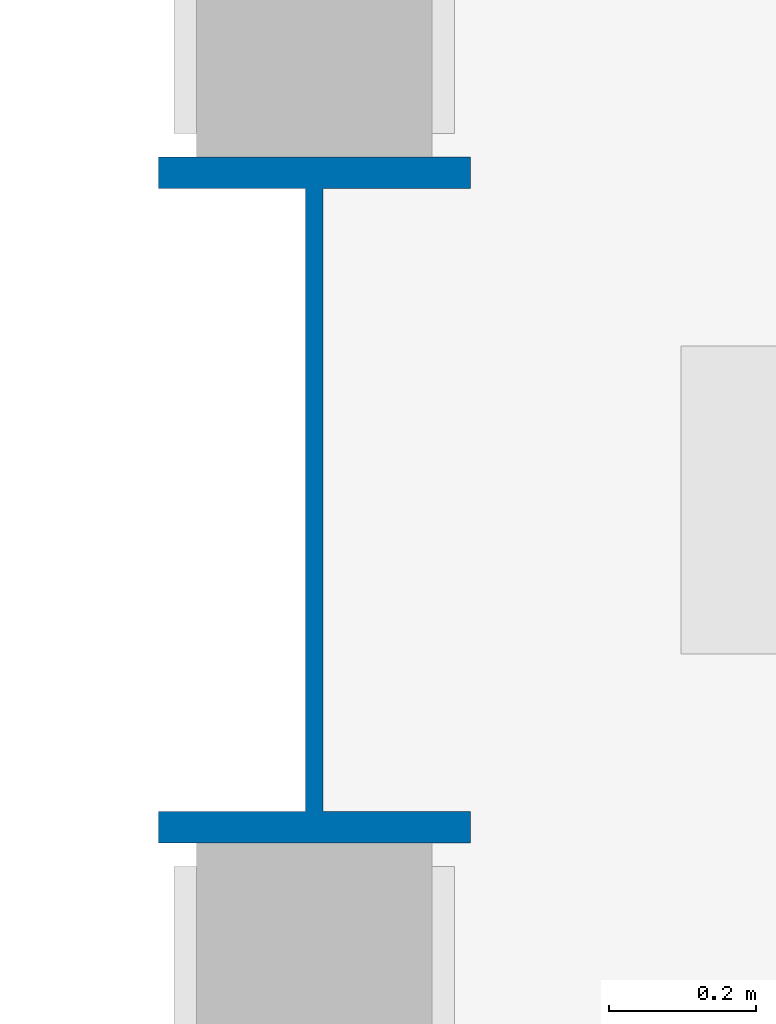
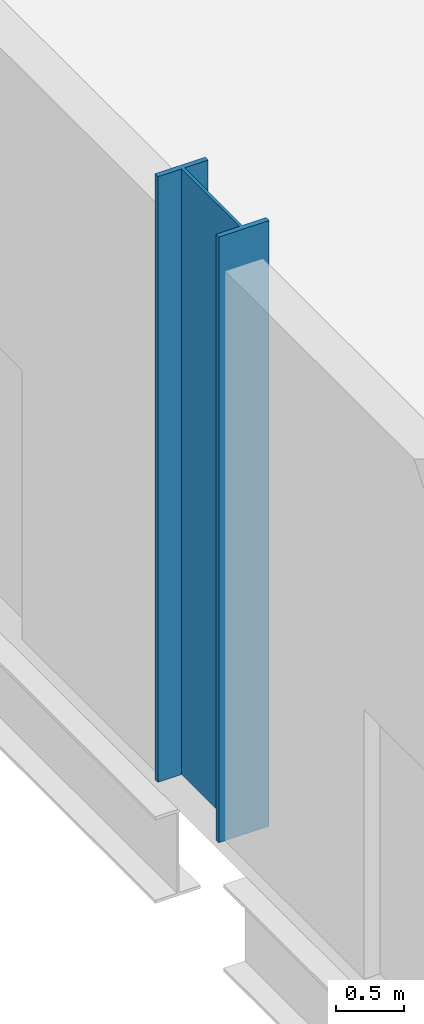
# One storey, part 2 of 137: 1 column.
"""IFC4 building model written with IfcOpenShell, lengths in metres."""

from ifc_helpers import new_model, si_unit, direction, frame, origin, origin_2d, place, context, subcontext, project, spatial, i_section, extrude, material, material_profile, profile_set, type_object, element, save


model = new_model("IFC4")

# Units and contexts
model_context = context("Model", 3, precision=1e-05, world=origin(), true_north=direction((0.0, 1.0)))
body_context = subcontext(model_context, "Body", "Model", "MODEL_VIEW")
ifc_project = project(units=[si_unit("LENGTHUNIT", "METRE"), si_unit("AREAUNIT", "SQUARE_METRE"), si_unit("VOLUMEUNIT", "CUBIC_METRE"), si_unit("PLANEANGLEUNIT", "RADIAN"), si_unit("MASSUNIT", "GRAM", prefix="KILO")], contexts=[model_context])

# Site, building, storey
site_placement = place(None, origin())
site = spatial("IfcSite", under=ifc_project, at=site_placement, CompositionType="ELEMENT")
building_placement = place(site_placement, origin())
building = spatial("IfcBuilding", under=site, at=building_placement, Name="Celestram Park Convention Centre", CompositionType="ELEMENT")
storey_placement = place(building_placement, origin())
storey = spatial("IfcBuildingStorey", under=building, at=storey_placement, Name="L00", CompositionType="ELEMENT", Elevation=0.0)

# Column
ifc_material = material(Name="Steel ASTM A992 Grade 50", Category="steel")
ifc_material_profile = material_profile(ifc_material, i_section(OverallWidth=0.424072265625, OverallDepth=0.931884765625, WebThickness=0.02392578125, FlangeThickness=0.042724609375, at=origin_2d()), Name="W36X302")
ifc_profile_set = profile_set([ifc_material_profile], Name="Steel ASTM A992 Grade 50")
column_type = type_object("IfcColumnType", Name="STR-COL-W36X302", PredefinedType="COLUMN", material=ifc_profile_set)
column_placement = place(storey_placement, frame((0.0, 57.60009765625, 0.0), z_axis=(0.0, 0.0, 1.0), x_axis=(1.0, 0.0, 0.0)))
element("IfcColumn", 1, at=column_placement, inside=storey, type_object=column_type, Name="Column CN-L00-006", PredefinedType="COLUMN", context=body_context, shape_type="SweptSolid", body=[
    extrude(i_section(OverallWidth=0.424072265625, OverallDepth=0.931884765625, WebThickness=0.02392578125, FlangeThickness=0.042724609375, at=origin_2d()), origin(), (0.0, 0.0, 1.0), 5.39990234375),
])

save(model, "model.ifc")
